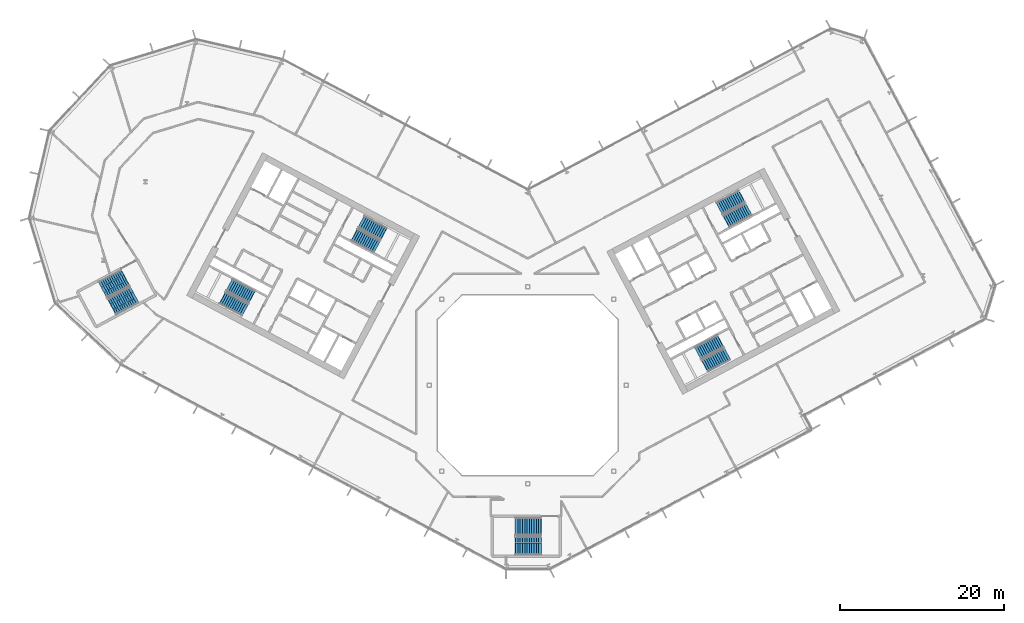
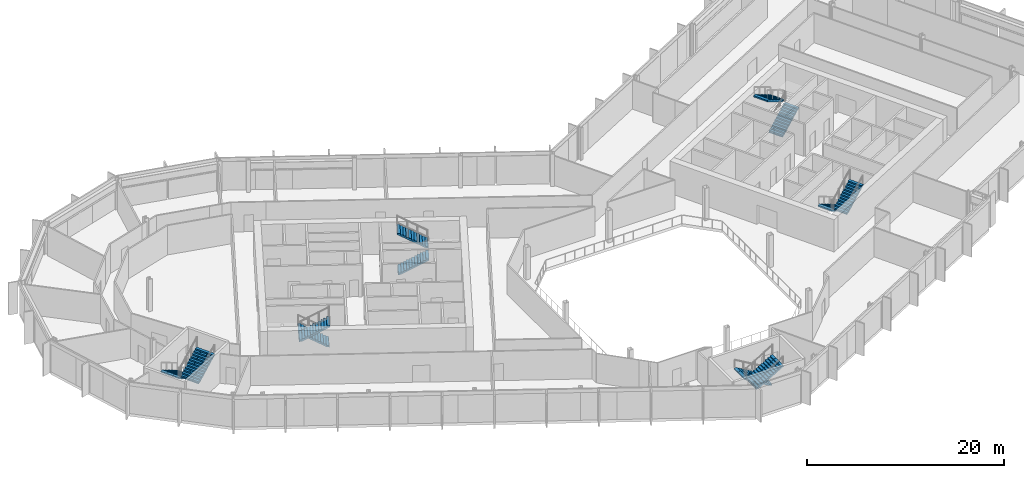
# One storey, part 18 of 28: 12 stair flights, 6 elements without a shape of their own.
"""IFC4 building model written with IfcOpenShell, lengths in metres."""

import ifcopenshell
import ifcopenshell.guid

model = None  # the IFC model being written
_history = None  # IfcOwnerHistory: only IFC2X3 demands one
_inside = {}  # id of a spatial element -> (the spatial element, [elements in it])
_under = {}  # id of a project, library or spatial element -> (it, [spatial elements below it])
_declared = {}  # id of a project -> (the project, [libraries it declares])
_typed = {}  # id of a type object -> (the type object, [elements of that type])
_made_of = {}  # id of a material, layer set ... -> (it, [elements and type objects made of it])


def new_model(schema):
    """Start an empty IFC model of exactly this schema.

    Asked for "IFC4X3", IfcOpenShell would pick the latest addendum, in which some entities
    have other attributes; the version numbers below select the first issue.
    IFC2X3 requires an IfcOwnerHistory on every rooted entity: one is made here for all.
    """
    global model, _history
    if schema == "IFC4X3":
        model = ifcopenshell.file(schema_version=(4, 3, 0, 0))
    else:
        model = ifcopenshell.file(schema=schema)
    _inside.clear()
    _under.clear()
    _declared.clear()
    _typed.clear()
    _made_of.clear()
    _history = None
    if model.schema == "IFC2X3":
        org = make("IfcOrganization", Name="unknown")
        user = make(
            "IfcPersonAndOrganization",
            ThePerson=make("IfcPerson", FamilyName="unknown"),
            TheOrganization=org,
        )
        app = make(
            "IfcApplication",
            ApplicationDeveloper=org,
            Version="unknown",
            ApplicationFullName="unknown",
            ApplicationIdentifier="unknown",
        )
        _history = make(
            "IfcOwnerHistory",
            OwningUser=user,
            OwningApplication=app,
            ChangeAction="ADDED",
            CreationDate=0,
        )
    return model


def make(cls, **values):
    """One entity of the class cls with the attributes given. An attribute that is None is left unset."""
    return model.create_entity(
        cls, **{name: value for name, value in values.items() if value is not None}
    )


def rooted(cls, **values):
    """An entity with a GlobalId (a new one), such as an element, a storey or a relation."""
    return make(cls, GlobalId=ifcopenshell.guid.new(), OwnerHistory=_history, **values)


def si_unit(unit_type, name, prefix=None):
    """IfcSIUnit, for example si_unit("LENGTHUNIT", "METRE", prefix="MILLI")."""
    return make("IfcSIUnit", UnitType=unit_type, Prefix=prefix, Name=name)


def assignment(units):
    """IfcUnitAssignment: the units of a project."""
    return None if units is None else make("IfcUnitAssignment", Units=units)


def point(xyz):
    """IfcCartesianPoint."""
    return None if xyz is None else make("IfcCartesianPoint", Coordinates=xyz)


def direction(xyz):
    """IfcDirection."""
    return None if xyz is None else make("IfcDirection", DirectionRatios=xyz)


def frame(location, z_axis=None, x_axis=None):
    """IfcAxis2Placement3D, a coordinate frame: its origin and axes. An axis left out is left unset."""
    return make(
        "IfcAxis2Placement3D",
        Location=point(location),
        Axis=direction(z_axis),
        RefDirection=direction(x_axis),
    )


def origin():
    """The frame at (0, 0, 0) with its axes left unset."""
    return frame((0.0, 0.0, 0.0))


def place(relative_to, where):
    """IfcLocalPlacement: puts the frame where relative to a parent placement (None: the world)."""
    return make(
        "IfcLocalPlacement", PlacementRelTo=relative_to, RelativePlacement=where
    )


def context(
    kind, dimensions, precision=None, world=None, true_north=None, identifier=None
):
    """IfcGeometricRepresentationContext, for example the 3D "Model" context."""
    return make(
        "IfcGeometricRepresentationContext",
        ContextIdentifier=identifier,
        ContextType=kind,
        CoordinateSpaceDimension=dimensions,
        Precision=precision,
        WorldCoordinateSystem=world,
        TrueNorth=true_north,
    )


def subcontext(parent, identifier, kind, view, scale=None):
    """IfcGeometricRepresentationSubContext, for example "Body" below "Model"."""
    return make(
        "IfcGeometricRepresentationSubContext",
        ContextIdentifier=identifier,
        ContextType=kind,
        ParentContext=parent,
        TargetScale=scale,
        TargetView=view,
    )


def project(units=None, contexts=None):
    """IfcProject with its units and contexts."""
    return rooted(
        "IfcProject",
        Name="project",
        RepresentationContexts=contexts,
        UnitsInContext=assignment(units),
    )


def spatial(cls, under=None, at=None, **own):
    """A site, building, storey or space (cls), placed at a placement, below another one or the project."""
    s = rooted(cls, ObjectPlacement=at, **own)
    if under is not None:
        _under.setdefault(under.id(), (under, []))[1].append(s)
    return s


def polyline(points):
    """IfcPolyline through the points."""
    return make("IfcPolyline", Points=[point(p) for p in points])


def outline(outer, holes=None, kind="AREA"):
    """IfcArbitraryClosedProfileDef: a profile drawn as a closed curve; with holes, ...WithVoids."""
    if holes is None:
        return make("IfcArbitraryClosedProfileDef", ProfileType=kind, OuterCurve=outer)
    return make(
        "IfcArbitraryProfileDefWithVoids",
        ProfileType=kind,
        OuterCurve=outer,
        InnerCurves=holes,
    )


def extrude(swept, where, along, depth):
    """IfcExtrudedAreaSolid: the profile swept, set in the frame where, extruded along a direction by depth."""
    return make(
        "IfcExtrudedAreaSolid",
        SweptArea=swept,
        Position=where,
        ExtrudedDirection=direction(along),
        Depth=depth,
    )


def shape(context_of_items, identifier, shape_type, items):
    """IfcShapeRepresentation: the items that make up one representation, for example the "Body"."""
    return make(
        "IfcShapeRepresentation",
        ContextOfItems=context_of_items,
        RepresentationIdentifier=identifier,
        RepresentationType=shape_type,
        Items=items,
    )


def material(Name=None, Category=None):
    """IfcMaterial."""
    return make("IfcMaterial", Name=Name, Category=Category)


def made_of(thing, what):
    """Note that an element or type object is made of a material, layer set ...; save() writes the relation."""
    if what is not None:
        _made_of.setdefault(what.id(), (what, []))[1].append(thing)
    return thing


def type_object(cls, material=None, **own):
    """A type object (cls), such as IfcWallType, which elements share."""
    return made_of(rooted(cls, **own), material)


def element(
    cls,
    number,
    at=None,
    inside=None,
    cuts=None,
    type_object=None,
    material=None,
    context=None,
    identifier="Body",
    shape_type=None,
    held_by="IfcProductDefinitionShape",
    body=None,
    shapes=None,
    **own,
):
    """One element of the class cls, such as IfcWall. Its Tag is "e" and its number.

    at: its placement. inside: the storey or other place that contains it. cuts: it is an
    opening in that element (IfcRelVoidsElement). A single representation is given by context,
    identifier, shape_type and body (its items); several are given by shapes. held_by: the class
    of the entity that holds the representations. save() writes the other relations.
    """
    e = rooted(cls, Tag="e%d" % number, ObjectPlacement=at, **own)
    if body is not None:
        shapes = [shape(context, identifier, shape_type, body)]
    if shapes is not None:
        e.Representation = make(held_by, Representations=shapes)
    if inside is not None:
        _inside.setdefault(inside.id(), (inside, []))[1].append(e)
    if cuts is not None:
        rooted(
            "IfcRelVoidsElement", RelatingBuildingElement=cuts, RelatedOpeningElement=e
        )
    if type_object is not None:
        _typed.setdefault(type_object.id(), (type_object, []))[1].append(e)
    return made_of(e, material)


def aggregate(whole, parts):
    """IfcRelAggregates: a whole, such as a stair, and the parts it consists of."""
    return rooted("IfcRelAggregates", RelatingObject=whole, RelatedObjects=parts)


def save(model, path):
    """Write the relations noted so far, then the file.

    IfcRelAggregates (storeys below a building ...), IfcRelContainedInSpatialStructure (elements
    in a storey), IfcRelDefinesByType, IfcRelAssociatesMaterial and IfcRelDeclares: one each for
    every whole, place, type object, material and project.
    """
    for whole, parts in _under.values():
        aggregate(whole, parts)
    for where, things in _inside.values():
        rooted(
            "IfcRelContainedInSpatialStructure",
            RelatedElements=things,
            RelatingStructure=where,
        )
    for kind, things in _typed.values():
        rooted("IfcRelDefinesByType", RelatedObjects=things, RelatingType=kind)
    for what, things in _made_of.values():
        rooted("IfcRelAssociatesMaterial", RelatedObjects=things, RelatingMaterial=what)
    for by, libraries in _declared.values():
        rooted("IfcRelDeclares", RelatingContext=by, RelatedDefinitions=libraries)
    model.write(path)


model = new_model("IFC4")

# Units and contexts
model_context = context("Model", 3, precision=1e-05, world=origin(), true_north=direction((0.0, 1.0)))
body_context = subcontext(model_context, "Body", "Model", "MODEL_VIEW")
ifc_project = project(units=[si_unit("LENGTHUNIT", "METRE"), si_unit("AREAUNIT", "SQUARE_METRE"), si_unit("VOLUMEUNIT", "CUBIC_METRE"), si_unit("PLANEANGLEUNIT", "RADIAN"), si_unit("MASSUNIT", "GRAM", prefix="KILO")], contexts=[model_context])

# Site, building, storey
site_placement = place(None, origin())
site = spatial("IfcSite", under=ifc_project, at=site_placement, CompositionType="ELEMENT")
building_placement = place(site_placement, origin())
building = spatial("IfcBuilding", under=site, at=building_placement, Name="Cormorant Relay Tower", CompositionType="ELEMENT")
storey_placement = place(building_placement, frame((0.0, 0.0, 170.199951171875)))
storey = spatial("IfcBuildingStorey", under=building, at=storey_placement, Name="L36", CompositionType="ELEMENT", Elevation=170.199951171875)

# Stair, stair flights
ifc_material_1 = material(Name="Concrete 40 MPa", Category="concrete")
stair_type_1 = type_object("IfcStairType", Name="Exit stair 1500", PredefinedType="HALF_TURN_STAIR", material=ifc_material_1)
stair_1_placement = place(storey_placement, origin())
stair_1 = element("IfcStair", 1, at=stair_1_placement, inside=storey, type_object=stair_type_1, Name="L36 Stair", PredefinedType="HALF_TURN_STAIR")
ifc_material_2 = material(Name="Concrete 40 MPa", Category="concrete")
stair_flight_type_1 = type_object("IfcStairFlightType", Name="Exit stair flight 1650", PredefinedType="STRAIGHT", material=ifc_material_2)
stair_flight_1_placement = place(storey_placement, frame((-21.114501953125, 18.33349609375, 0.0), z_axis=(0.0, 0.0, 1.0), x_axis=(0.882947592859, -0.469471562786, 0.0)))
stair_flight_1 = element("IfcStairFlight", 2, at=stair_flight_1_placement, type_object=stair_flight_type_1, Name="A1 flight 1", NumberOfRisers=12, NumberOfTreads=11, PredefinedType="STRAIGHT", RiserHeight=0.166666667, TreadLength=0.28, context=body_context, shape_type="SweptSolid", body=[
    extrude(outline(polyline([(-0.050048828125, -0.080078125), (-0.050048828125, 0.0), (0.0, 0.0), (0.0, 0.166748046875), (0.280029296875, 0.166748046875), (0.280029296875, 0.333251953125), (0.56005859375, 0.333251953125), (0.56005859375, 0.5), (0.840087890625, 0.5), (0.840087890625, 0.666748046875), (1.1201171875, 0.666748046875), (1.1201171875, 0.833251953125), (1.39990234375, 0.833251953125), (1.39990234375, 1.0), (1.679931640625, 1.0), (1.679931640625, 1.166748046875), (1.9599609375, 1.166748046875), (1.9599609375, 1.333251953125), (2.239990234375, 1.333251953125), (2.239990234375, 1.5), (2.52001953125, 1.5), (2.52001953125, 1.666748046875), (2.800048828125, 1.666748046875), (2.800048828125, 1.833251953125), (3.080078125, 1.833251953125), (3.130126953125, 1.833251953125), (3.130126953125, 1.658935546875), (3.080078125, 1.658935546875), (0.29296875, 0.0), (-0.050048828125, -0.080078125)])), frame((0.0, 0.824951171875, 0.0), z_axis=(0.0, -1.0, 0.0), x_axis=(1.0, 0.0, 0.0)), (0.0, 0.0, 1.0), 1.64990234375),
])
stair_flight_2_placement = place(storey_placement, frame((-17.5498046875, 18.47705078125, 2.0), z_axis=(0.0, 0.0, 1.0), x_axis=(-0.882947592859, 0.469471562786, 0.0)))
stair_flight_2 = element("IfcStairFlight", 3, at=stair_flight_2_placement, type_object=stair_flight_type_1, Name="A1 flight 2", NumberOfRisers=12, NumberOfTreads=11, PredefinedType="STRAIGHT", RiserHeight=0.166666667, TreadLength=0.28, context=body_context, shape_type="SweptSolid", body=[
    extrude(outline(polyline([(-0.050048828125, -0.080078125), (-0.050048828125, 0.0), (0.0, 0.0), (0.0, 0.166748046875), (0.280029296875, 0.166748046875), (0.280029296875, 0.333251953125), (0.56005859375, 0.333251953125), (0.56005859375, 0.5), (0.840087890625, 0.5), (0.840087890625, 0.666748046875), (1.1201171875, 0.666748046875), (1.1201171875, 0.833251953125), (1.39990234375, 0.833251953125), (1.39990234375, 1.0), (1.679931640625, 1.0), (1.679931640625, 1.166748046875), (1.9599609375, 1.166748046875), (1.9599609375, 1.333251953125), (2.239990234375, 1.333251953125), (2.239990234375, 1.5), (2.52001953125, 1.5), (2.52001953125, 1.666748046875), (2.800048828125, 1.666748046875), (2.800048828125, 1.833251953125), (3.080078125, 1.833251953125), (3.130126953125, 1.833251953125), (3.130126953125, 1.658935546875), (3.080078125, 1.658935546875), (0.29296875, 0.0), (-0.050048828125, -0.080078125)])), frame((0.0, 0.824951171875, 0.0), z_axis=(0.0, -1.0, 0.0), x_axis=(1.0, 0.0, 0.0)), (0.0, 0.0, 1.0), 1.64990234375),
])
aggregate(stair_1, [stair_flight_1, stair_flight_2])

stair_2_placement = place(storey_placement, origin())
stair_2 = element("IfcStair", 4, at=stair_2_placement, inside=storey, type_object=stair_type_1, Name="L36 Stair", PredefinedType="HALF_TURN_STAIR")
stair_flight_3_placement = place(storey_placement, frame((-33.62841796875, 10.773681640625, 0.0), z_axis=(0.0, 0.0, 1.0), x_axis=(-0.882947592859, 0.469471562786, 0.0)))
stair_flight_3 = element("IfcStairFlight", 5, at=stair_flight_3_placement, type_object=stair_flight_type_1, Name="A2 flight 1", NumberOfRisers=12, NumberOfTreads=11, PredefinedType="STRAIGHT", RiserHeight=0.166666667, TreadLength=0.28, context=body_context, shape_type="SweptSolid", body=[
    extrude(outline(polyline([(-0.050048828125, -0.080078125), (-0.050048828125, 0.0), (0.0, 0.0), (0.0, 0.166748046875), (0.280029296875, 0.166748046875), (0.280029296875, 0.333251953125), (0.56005859375, 0.333251953125), (0.56005859375, 0.5), (0.840087890625, 0.5), (0.840087890625, 0.666748046875), (1.1201171875, 0.666748046875), (1.1201171875, 0.833251953125), (1.39990234375, 0.833251953125), (1.39990234375, 1.0), (1.679931640625, 1.0), (1.679931640625, 1.166748046875), (1.9599609375, 1.166748046875), (1.9599609375, 1.333251953125), (2.239990234375, 1.333251953125), (2.239990234375, 1.5), (2.52001953125, 1.5), (2.52001953125, 1.666748046875), (2.800048828125, 1.666748046875), (2.800048828125, 1.833251953125), (3.080078125, 1.833251953125), (3.130126953125, 1.833251953125), (3.130126953125, 1.658935546875), (3.080078125, 1.658935546875), (0.29296875, 0.0), (-0.050048828125, -0.080078125)])), frame((0.0, 0.824951171875, 0.0), z_axis=(0.0, -1.0, 0.0), x_axis=(1.0, 0.0, 0.0)), (0.0, 0.0, 1.0), 1.64990234375),
])
stair_flight_4_placement = place(storey_placement, frame((-37.19287109375, 10.63037109375, 2.0), z_axis=(0.0, 0.0, 1.0), x_axis=(0.882947592859, -0.469471562786, 0.0)))
stair_flight_4 = element("IfcStairFlight", 6, at=stair_flight_4_placement, type_object=stair_flight_type_1, Name="A2 flight 2", NumberOfRisers=12, NumberOfTreads=11, PredefinedType="STRAIGHT", RiserHeight=0.166666667, TreadLength=0.28, context=body_context, shape_type="SweptSolid", body=[
    extrude(outline(polyline([(-0.050048828125, -0.080078125), (-0.050048828125, 0.0), (0.0, 0.0), (0.0, 0.166748046875), (0.280029296875, 0.166748046875), (0.280029296875, 0.333251953125), (0.56005859375, 0.333251953125), (0.56005859375, 0.5), (0.840087890625, 0.5), (0.840087890625, 0.666748046875), (1.1201171875, 0.666748046875), (1.1201171875, 0.833251953125), (1.39990234375, 0.833251953125), (1.39990234375, 1.0), (1.679931640625, 1.0), (1.679931640625, 1.166748046875), (1.9599609375, 1.166748046875), (1.9599609375, 1.333251953125), (2.239990234375, 1.333251953125), (2.239990234375, 1.5), (2.52001953125, 1.5), (2.52001953125, 1.666748046875), (2.800048828125, 1.666748046875), (2.800048828125, 1.833251953125), (3.080078125, 1.833251953125), (3.130126953125, 1.833251953125), (3.130126953125, 1.658935546875), (3.080078125, 1.658935546875), (0.29296875, 0.0), (-0.050048828125, -0.080078125)])), frame((0.0, 0.824951171875, 0.0), z_axis=(0.0, -1.0, 0.0), x_axis=(1.0, 0.0, 0.0)), (0.0, 0.0, 1.0), 1.64990234375),
])
aggregate(stair_2, [stair_flight_3, stair_flight_4])

stair_3_placement = place(storey_placement, origin())
stair_3 = element("IfcStair", 7, at=stair_3_placement, inside=storey, type_object=stair_type_1, Name="L36 Stair", PredefinedType="HALF_TURN_STAIR")
stair_flight_5_placement = place(storey_placement, frame((23.474365234375, 5.374755859375, 0.0), z_axis=(0.0, 0.0, 1.0), x_axis=(-0.882947592859, -0.469471562786, 0.0)))
stair_flight_5 = element("IfcStairFlight", 8, at=stair_flight_5_placement, type_object=stair_flight_type_1, Name="B1 flight 1", NumberOfRisers=12, NumberOfTreads=11, PredefinedType="STRAIGHT", RiserHeight=0.166666667, TreadLength=0.28, context=body_context, shape_type="SweptSolid", body=[
    extrude(outline(polyline([(-0.050048828125, -0.080078125), (-0.050048828125, 0.0), (0.0, 0.0), (0.0, 0.166748046875), (0.280029296875, 0.166748046875), (0.280029296875, 0.333251953125), (0.56005859375, 0.333251953125), (0.56005859375, 0.5), (0.840087890625, 0.5), (0.840087890625, 0.666748046875), (1.1201171875, 0.666748046875), (1.1201171875, 0.833251953125), (1.39990234375, 0.833251953125), (1.39990234375, 1.0), (1.679931640625, 1.0), (1.679931640625, 1.166748046875), (1.9599609375, 1.166748046875), (1.9599609375, 1.333251953125), (2.239990234375, 1.333251953125), (2.239990234375, 1.5), (2.52001953125, 1.5), (2.52001953125, 1.666748046875), (2.800048828125, 1.666748046875), (2.800048828125, 1.833251953125), (3.080078125, 1.833251953125), (3.130126953125, 1.833251953125), (3.130126953125, 1.658935546875), (3.080078125, 1.658935546875), (0.29296875, 0.0), (-0.050048828125, -0.080078125)])), frame((0.0, 0.824951171875, 0.0), z_axis=(0.0, -1.0, 0.0), x_axis=(1.0, 0.0, 0.0)), (0.0, 0.0, 1.0), 1.64990234375),
])
stair_flight_6_placement = place(storey_placement, frame((21.60009765625, 2.33935546875, 2.0), z_axis=(0.0, 0.0, 1.0), x_axis=(0.882947592859, 0.469471562786, 0.0)))
stair_flight_6 = element("IfcStairFlight", 9, at=stair_flight_6_placement, type_object=stair_flight_type_1, Name="B1 flight 2", NumberOfRisers=12, NumberOfTreads=11, PredefinedType="STRAIGHT", RiserHeight=0.166666667, TreadLength=0.28, context=body_context, shape_type="SweptSolid", body=[
    extrude(outline(polyline([(-0.050048828125, -0.080078125), (-0.050048828125, 0.0), (0.0, 0.0), (0.0, 0.166748046875), (0.280029296875, 0.166748046875), (0.280029296875, 0.333251953125), (0.56005859375, 0.333251953125), (0.56005859375, 0.5), (0.840087890625, 0.5), (0.840087890625, 0.666748046875), (1.1201171875, 0.666748046875), (1.1201171875, 0.833251953125), (1.39990234375, 0.833251953125), (1.39990234375, 1.0), (1.679931640625, 1.0), (1.679931640625, 1.166748046875), (1.9599609375, 1.166748046875), (1.9599609375, 1.333251953125), (2.239990234375, 1.333251953125), (2.239990234375, 1.5), (2.52001953125, 1.5), (2.52001953125, 1.666748046875), (2.800048828125, 1.666748046875), (2.800048828125, 1.833251953125), (3.080078125, 1.833251953125), (3.130126953125, 1.833251953125), (3.130126953125, 1.658935546875), (3.080078125, 1.658935546875), (0.29296875, 0.0), (-0.050048828125, -0.080078125)])), frame((0.0, 0.824951171875, 0.0), z_axis=(0.0, -1.0, 0.0), x_axis=(1.0, 0.0, 0.0)), (0.0, 0.0, 1.0), 1.64990234375),
])
aggregate(stair_3, [stair_flight_5, stair_flight_6])

stair_4_placement = place(storey_placement, origin())
stair_4 = element("IfcStair", 10, at=stair_4_placement, inside=storey, type_object=stair_type_1, Name="L36 Stair", PredefinedType="HALF_TURN_STAIR")
stair_flight_7_placement = place(storey_placement, frame((24.20458984375, 19.976806640625, 0.0), z_axis=(0.0, 0.0, 1.0), x_axis=(0.882947592859, 0.469471562786, 0.0)))
stair_flight_7 = element("IfcStairFlight", 11, at=stair_flight_7_placement, type_object=stair_flight_type_1, Name="B2 flight 1", NumberOfRisers=12, NumberOfTreads=11, PredefinedType="STRAIGHT", RiserHeight=0.166666667, TreadLength=0.28, context=body_context, shape_type="SweptSolid", body=[
    extrude(outline(polyline([(-0.050048828125, -0.080078125), (-0.050048828125, 0.0), (0.0, 0.0), (0.0, 0.166748046875), (0.280029296875, 0.166748046875), (0.280029296875, 0.333251953125), (0.56005859375, 0.333251953125), (0.56005859375, 0.5), (0.840087890625, 0.5), (0.840087890625, 0.666748046875), (1.1201171875, 0.666748046875), (1.1201171875, 0.833251953125), (1.39990234375, 0.833251953125), (1.39990234375, 1.0), (1.679931640625, 1.0), (1.679931640625, 1.166748046875), (1.9599609375, 1.166748046875), (1.9599609375, 1.333251953125), (2.239990234375, 1.333251953125), (2.239990234375, 1.5), (2.52001953125, 1.5), (2.52001953125, 1.666748046875), (2.800048828125, 1.666748046875), (2.800048828125, 1.833251953125), (3.080078125, 1.833251953125), (3.130126953125, 1.833251953125), (3.130126953125, 1.658935546875), (3.080078125, 1.658935546875), (0.29296875, 0.0), (-0.050048828125, -0.080078125)])), frame((0.0, 0.824951171875, 0.0), z_axis=(0.0, -1.0, 0.0), x_axis=(1.0, 0.0, 0.0)), (0.0, 0.0, 1.0), 1.64990234375),
])
stair_flight_8_placement = place(storey_placement, frame((26.0791015625, 23.011962890625, 2.0), z_axis=(0.0, 0.0, 1.0), x_axis=(-0.882947592859, -0.469471562786, 0.0)))
stair_flight_8 = element("IfcStairFlight", 12, at=stair_flight_8_placement, type_object=stair_flight_type_1, Name="B2 flight 2", NumberOfRisers=12, NumberOfTreads=11, PredefinedType="STRAIGHT", RiserHeight=0.166666667, TreadLength=0.28, context=body_context, shape_type="SweptSolid", body=[
    extrude(outline(polyline([(-0.050048828125, -0.080078125), (-0.050048828125, 0.0), (0.0, 0.0), (0.0, 0.166748046875), (0.280029296875, 0.166748046875), (0.280029296875, 0.333251953125), (0.56005859375, 0.333251953125), (0.56005859375, 0.5), (0.840087890625, 0.5), (0.840087890625, 0.666748046875), (1.1201171875, 0.666748046875), (1.1201171875, 0.833251953125), (1.39990234375, 0.833251953125), (1.39990234375, 1.0), (1.679931640625, 1.0), (1.679931640625, 1.166748046875), (1.9599609375, 1.166748046875), (1.9599609375, 1.333251953125), (2.239990234375, 1.333251953125), (2.239990234375, 1.5), (2.52001953125, 1.5), (2.52001953125, 1.666748046875), (2.800048828125, 1.666748046875), (2.800048828125, 1.833251953125), (3.080078125, 1.833251953125), (3.130126953125, 1.833251953125), (3.130126953125, 1.658935546875), (3.080078125, 1.658935546875), (0.29296875, 0.0), (-0.050048828125, -0.080078125)])), frame((0.0, 0.824951171875, 0.0), z_axis=(0.0, -1.0, 0.0), x_axis=(1.0, 0.0, 0.0)), (0.0, 0.0, 1.0), 1.64990234375),
])
aggregate(stair_4, [stair_flight_7, stair_flight_8])

ifc_material_3 = material(Name="Concrete 40 MPa", Category="concrete")
stair_type_2 = type_object("IfcStairType", Name="Remote exit stair 2200", PredefinedType="HALF_TURN_STAIR", material=ifc_material_3)
stair_5_placement = place(storey_placement, origin())
stair_5 = element("IfcStair", 13, at=stair_5_placement, inside=storey, type_object=stair_type_2, Name="L36 Stair", PredefinedType="HALF_TURN_STAIR")
ifc_material_4 = material(Name="Concrete 40 MPa", Category="concrete")
stair_flight_type_2 = type_object("IfcStairFlightType", Name="Remote exit stair flight 2200", PredefinedType="STRAIGHT", material=ifc_material_4)
stair_flight_9_placement = place(storey_placement, frame((1.60009765625, -17.22509765625, 0.0), z_axis=(0.0, 0.0, 1.0), x_axis=(-1.0, 0.0, 0.0)))
stair_flight_9 = element("IfcStairFlight", 14, at=stair_flight_9_placement, type_object=stair_flight_type_2, Name="RK1 flight 1", NumberOfRisers=12, NumberOfTreads=11, PredefinedType="STRAIGHT", RiserHeight=0.166666667, TreadLength=0.28, context=body_context, shape_type="SweptSolid", body=[
    extrude(outline(polyline([(-0.050048828125, -0.080078125), (-0.050048828125, 0.0), (0.0, 0.0), (0.0, 0.166748046875), (0.280029296875, 0.166748046875), (0.280029296875, 0.333251953125), (0.56005859375, 0.333251953125), (0.56005859375, 0.5), (0.840087890625, 0.5), (0.840087890625, 0.666748046875), (1.1201171875, 0.666748046875), (1.1201171875, 0.833251953125), (1.39990234375, 0.833251953125), (1.39990234375, 1.0), (1.679931640625, 1.0), (1.679931640625, 1.166748046875), (1.9599609375, 1.166748046875), (1.9599609375, 1.333251953125), (2.239990234375, 1.333251953125), (2.239990234375, 1.5), (2.52001953125, 1.5), (2.52001953125, 1.666748046875), (2.800048828125, 1.666748046875), (2.800048828125, 1.833251953125), (3.080078125, 1.833251953125), (3.130126953125, 1.833251953125), (3.130126953125, 1.658935546875), (3.080078125, 1.658935546875), (0.29296875, 0.0), (-0.050048828125, -0.080078125)])), frame((0.0, 1.10009765625, 0.0), z_axis=(0.0, -1.0, 0.0), x_axis=(1.0, 0.0, 0.0)), (0.0, 0.0, 1.0), 0.719970703125),
    extrude(outline(polyline([(-0.050048828125, -0.080078125), (-0.050048828125, 0.0), (0.0, 0.0), (0.0, 0.166748046875), (0.280029296875, 0.166748046875), (0.280029296875, 0.333251953125), (0.56005859375, 0.333251953125), (0.56005859375, 0.5), (0.840087890625, 0.5), (0.840087890625, 0.666748046875), (1.1201171875, 0.666748046875), (1.1201171875, 0.833251953125), (1.39990234375, 0.833251953125), (1.39990234375, 1.0), (1.679931640625, 1.0), (1.679931640625, 1.166748046875), (1.9599609375, 1.166748046875), (1.9599609375, 1.333251953125), (2.239990234375, 1.333251953125), (2.239990234375, 1.5), (2.52001953125, 1.5), (2.52001953125, 1.666748046875), (2.800048828125, 1.666748046875), (2.800048828125, 1.833251953125), (3.080078125, 1.833251953125), (3.130126953125, 1.833251953125), (3.130126953125, 1.658935546875), (3.080078125, 1.658935546875), (0.29296875, 0.0), (-0.050048828125, -0.080078125)])), frame((0.0, 0.360107421875, 0.0), z_axis=(0.0, -1.0, 0.0), x_axis=(1.0, 0.0, 0.0)), (0.0, 0.0, 1.0), 0.719970703125),
    extrude(outline(polyline([(-0.050048828125, -0.080078125), (-0.050048828125, 0.0), (0.0, 0.0), (0.0, 0.166748046875), (0.280029296875, 0.166748046875), (0.280029296875, 0.333251953125), (0.56005859375, 0.333251953125), (0.56005859375, 0.5), (0.840087890625, 0.5), (0.840087890625, 0.666748046875), (1.1201171875, 0.666748046875), (1.1201171875, 0.833251953125), (1.39990234375, 0.833251953125), (1.39990234375, 1.0), (1.679931640625, 1.0), (1.679931640625, 1.166748046875), (1.9599609375, 1.166748046875), (1.9599609375, 1.333251953125), (2.239990234375, 1.333251953125), (2.239990234375, 1.5), (2.52001953125, 1.5), (2.52001953125, 1.666748046875), (2.800048828125, 1.666748046875), (2.800048828125, 1.833251953125), (3.080078125, 1.833251953125), (3.130126953125, 1.833251953125), (3.130126953125, 1.658935546875), (3.080078125, 1.658935546875), (0.29296875, 0.0), (-0.050048828125, -0.080078125)])), frame((0.0, -0.3798828125, 0.0), z_axis=(0.0, -1.0, 0.0), x_axis=(1.0, 0.0, 0.0)), (0.0, 0.0, 1.0), 0.719970703125),
])
stair_flight_10_placement = place(storey_placement, frame((-1.47998046875, -19.574951171875, 2.0), z_axis=(0.0, 0.0, 1.0), x_axis=(1.0, 0.0, 0.0)))
stair_flight_10 = element("IfcStairFlight", 15, at=stair_flight_10_placement, type_object=stair_flight_type_2, Name="RK1 flight 2", NumberOfRisers=12, NumberOfTreads=11, PredefinedType="STRAIGHT", RiserHeight=0.166666667, TreadLength=0.28, context=body_context, shape_type="SweptSolid", body=[
    extrude(outline(polyline([(-0.050048828125, -0.080078125), (-0.050048828125, 0.0), (0.0, 0.0), (0.0, 0.166748046875), (0.280029296875, 0.166748046875), (0.280029296875, 0.333251953125), (0.56005859375, 0.333251953125), (0.56005859375, 0.5), (0.840087890625, 0.5), (0.840087890625, 0.666748046875), (1.1201171875, 0.666748046875), (1.1201171875, 0.833251953125), (1.39990234375, 0.833251953125), (1.39990234375, 1.0), (1.679931640625, 1.0), (1.679931640625, 1.166748046875), (1.9599609375, 1.166748046875), (1.9599609375, 1.333251953125), (2.239990234375, 1.333251953125), (2.239990234375, 1.5), (2.52001953125, 1.5), (2.52001953125, 1.666748046875), (2.800048828125, 1.666748046875), (2.800048828125, 1.833251953125), (3.080078125, 1.833251953125), (3.130126953125, 1.833251953125), (3.130126953125, 1.658935546875), (3.080078125, 1.658935546875), (0.29296875, 0.0), (-0.050048828125, -0.080078125)])), frame((0.0, 1.10009765625, 0.0), z_axis=(0.0, -1.0, 0.0), x_axis=(1.0, 0.0, 0.0)), (0.0, 0.0, 1.0), 0.719970703125),
    extrude(outline(polyline([(-0.050048828125, -0.080078125), (-0.050048828125, 0.0), (0.0, 0.0), (0.0, 0.166748046875), (0.280029296875, 0.166748046875), (0.280029296875, 0.333251953125), (0.56005859375, 0.333251953125), (0.56005859375, 0.5), (0.840087890625, 0.5), (0.840087890625, 0.666748046875), (1.1201171875, 0.666748046875), (1.1201171875, 0.833251953125), (1.39990234375, 0.833251953125), (1.39990234375, 1.0), (1.679931640625, 1.0), (1.679931640625, 1.166748046875), (1.9599609375, 1.166748046875), (1.9599609375, 1.333251953125), (2.239990234375, 1.333251953125), (2.239990234375, 1.5), (2.52001953125, 1.5), (2.52001953125, 1.666748046875), (2.800048828125, 1.666748046875), (2.800048828125, 1.833251953125), (3.080078125, 1.833251953125), (3.130126953125, 1.833251953125), (3.130126953125, 1.658935546875), (3.080078125, 1.658935546875), (0.29296875, 0.0), (-0.050048828125, -0.080078125)])), frame((0.0, 0.360107421875, 0.0), z_axis=(0.0, -1.0, 0.0), x_axis=(1.0, 0.0, 0.0)), (0.0, 0.0, 1.0), 0.719970703125),
    extrude(outline(polyline([(-0.050048828125, -0.080078125), (-0.050048828125, 0.0), (0.0, 0.0), (0.0, 0.166748046875), (0.280029296875, 0.166748046875), (0.280029296875, 0.333251953125), (0.56005859375, 0.333251953125), (0.56005859375, 0.5), (0.840087890625, 0.5), (0.840087890625, 0.666748046875), (1.1201171875, 0.666748046875), (1.1201171875, 0.833251953125), (1.39990234375, 0.833251953125), (1.39990234375, 1.0), (1.679931640625, 1.0), (1.679931640625, 1.166748046875), (1.9599609375, 1.166748046875), (1.9599609375, 1.333251953125), (2.239990234375, 1.333251953125), (2.239990234375, 1.5), (2.52001953125, 1.5), (2.52001953125, 1.666748046875), (2.800048828125, 1.666748046875), (2.800048828125, 1.833251953125), (3.080078125, 1.833251953125), (3.130126953125, 1.833251953125), (3.130126953125, 1.658935546875), (3.080078125, 1.658935546875), (0.29296875, 0.0), (-0.050048828125, -0.080078125)])), frame((0.0, -0.3798828125, 0.0), z_axis=(0.0, -1.0, 0.0), x_axis=(1.0, 0.0, 0.0)), (0.0, 0.0, 1.0), 0.719970703125),
])
aggregate(stair_5, [stair_flight_9, stair_flight_10])

stair_6_placement = place(storey_placement, origin())
stair_6 = element("IfcStair", 16, at=stair_6_placement, inside=storey, type_object=stair_type_2, Name="L36 Stair", PredefinedType="HALF_TURN_STAIR")
stair_flight_11_placement = place(storey_placement, frame((-49.062255859375, 13.08251953125, 0.0), z_axis=(0.0, 0.0, 1.0), x_axis=(-0.882947502727, -0.4694717323, 0.0)))
stair_flight_11 = element("IfcStairFlight", 17, at=stair_flight_11_placement, type_object=stair_flight_type_2, Name="RP1 flight 1", NumberOfRisers=12, NumberOfTreads=11, PredefinedType="STRAIGHT", RiserHeight=0.166666667, TreadLength=0.28, context=body_context, shape_type="SweptSolid", body=[
    extrude(outline(polyline([(-0.050048828125, -0.080078125), (-0.050048828125, 0.0), (0.0, 0.0), (0.0, 0.166748046875), (0.280029296875, 0.166748046875), (0.280029296875, 0.333251953125), (0.56005859375, 0.333251953125), (0.56005859375, 0.5), (0.840087890625, 0.5), (0.840087890625, 0.666748046875), (1.1201171875, 0.666748046875), (1.1201171875, 0.833251953125), (1.39990234375, 0.833251953125), (1.39990234375, 1.0), (1.679931640625, 1.0), (1.679931640625, 1.166748046875), (1.9599609375, 1.166748046875), (1.9599609375, 1.333251953125), (2.239990234375, 1.333251953125), (2.239990234375, 1.5), (2.52001953125, 1.5), (2.52001953125, 1.666748046875), (2.800048828125, 1.666748046875), (2.800048828125, 1.833251953125), (3.080078125, 1.833251953125), (3.130126953125, 1.833251953125), (3.130126953125, 1.658935546875), (3.080078125, 1.658935546875), (0.29296875, 0.0), (-0.050048828125, -0.080078125)])), frame((0.0, 1.10009765625, 0.0), z_axis=(0.0, -1.0, 0.0), x_axis=(1.0, 0.0, 0.0)), (0.0, 0.0, 1.0), 0.719970703125),
    extrude(outline(polyline([(-0.050048828125, -0.080078125), (-0.050048828125, 0.0), (0.0, 0.0), (0.0, 0.166748046875), (0.280029296875, 0.166748046875), (0.280029296875, 0.333251953125), (0.56005859375, 0.333251953125), (0.56005859375, 0.5), (0.840087890625, 0.5), (0.840087890625, 0.666748046875), (1.1201171875, 0.666748046875), (1.1201171875, 0.833251953125), (1.39990234375, 0.833251953125), (1.39990234375, 1.0), (1.679931640625, 1.0), (1.679931640625, 1.166748046875), (1.9599609375, 1.166748046875), (1.9599609375, 1.333251953125), (2.239990234375, 1.333251953125), (2.239990234375, 1.5), (2.52001953125, 1.5), (2.52001953125, 1.666748046875), (2.800048828125, 1.666748046875), (2.800048828125, 1.833251953125), (3.080078125, 1.833251953125), (3.130126953125, 1.833251953125), (3.130126953125, 1.658935546875), (3.080078125, 1.658935546875), (0.29296875, 0.0), (-0.050048828125, -0.080078125)])), frame((0.0, 0.360107421875, 0.0), z_axis=(0.0, -1.0, 0.0), x_axis=(1.0, 0.0, 0.0)), (0.0, 0.0, 1.0), 0.719970703125),
    extrude(outline(polyline([(-0.050048828125, -0.080078125), (-0.050048828125, 0.0), (0.0, 0.0), (0.0, 0.166748046875), (0.280029296875, 0.166748046875), (0.280029296875, 0.333251953125), (0.56005859375, 0.333251953125), (0.56005859375, 0.5), (0.840087890625, 0.5), (0.840087890625, 0.666748046875), (1.1201171875, 0.666748046875), (1.1201171875, 0.833251953125), (1.39990234375, 0.833251953125), (1.39990234375, 1.0), (1.679931640625, 1.0), (1.679931640625, 1.166748046875), (1.9599609375, 1.166748046875), (1.9599609375, 1.333251953125), (2.239990234375, 1.333251953125), (2.239990234375, 1.5), (2.52001953125, 1.5), (2.52001953125, 1.666748046875), (2.800048828125, 1.666748046875), (2.800048828125, 1.833251953125), (3.080078125, 1.833251953125), (3.130126953125, 1.833251953125), (3.130126953125, 1.658935546875), (3.080078125, 1.658935546875), (0.29296875, 0.0), (-0.050048828125, -0.080078125)])), frame((0.0, -0.3798828125, 0.0), z_axis=(0.0, -1.0, 0.0), x_axis=(1.0, 0.0, 0.0)), (0.0, 0.0, 1.0), 0.719970703125),
])
stair_flight_12_placement = place(storey_placement, frame((-50.678466796875, 9.5615234375, 2.0), z_axis=(0.0, 0.0, 1.0), x_axis=(0.882947502727, 0.4694717323, 0.0)))
stair_flight_12 = element("IfcStairFlight", 18, at=stair_flight_12_placement, type_object=stair_flight_type_2, Name="RP1 flight 2", NumberOfRisers=12, NumberOfTreads=11, PredefinedType="STRAIGHT", RiserHeight=0.166666667, TreadLength=0.28, context=body_context, shape_type="SweptSolid", body=[
    extrude(outline(polyline([(-0.050048828125, -0.080078125), (-0.050048828125, 0.0), (0.0, 0.0), (0.0, 0.166748046875), (0.280029296875, 0.166748046875), (0.280029296875, 0.333251953125), (0.56005859375, 0.333251953125), (0.56005859375, 0.5), (0.840087890625, 0.5), (0.840087890625, 0.666748046875), (1.1201171875, 0.666748046875), (1.1201171875, 0.833251953125), (1.39990234375, 0.833251953125), (1.39990234375, 1.0), (1.679931640625, 1.0), (1.679931640625, 1.166748046875), (1.9599609375, 1.166748046875), (1.9599609375, 1.333251953125), (2.239990234375, 1.333251953125), (2.239990234375, 1.5), (2.52001953125, 1.5), (2.52001953125, 1.666748046875), (2.800048828125, 1.666748046875), (2.800048828125, 1.833251953125), (3.080078125, 1.833251953125), (3.130126953125, 1.833251953125), (3.130126953125, 1.658935546875), (3.080078125, 1.658935546875), (0.29296875, 0.0), (-0.050048828125, -0.080078125)])), frame((0.0, 1.10009765625, 0.0), z_axis=(0.0, -1.0, 0.0), x_axis=(1.0, 0.0, 0.0)), (0.0, 0.0, 1.0), 0.719970703125),
    extrude(outline(polyline([(-0.050048828125, -0.080078125), (-0.050048828125, 0.0), (0.0, 0.0), (0.0, 0.166748046875), (0.280029296875, 0.166748046875), (0.280029296875, 0.333251953125), (0.56005859375, 0.333251953125), (0.56005859375, 0.5), (0.840087890625, 0.5), (0.840087890625, 0.666748046875), (1.1201171875, 0.666748046875), (1.1201171875, 0.833251953125), (1.39990234375, 0.833251953125), (1.39990234375, 1.0), (1.679931640625, 1.0), (1.679931640625, 1.166748046875), (1.9599609375, 1.166748046875), (1.9599609375, 1.333251953125), (2.239990234375, 1.333251953125), (2.239990234375, 1.5), (2.52001953125, 1.5), (2.52001953125, 1.666748046875), (2.800048828125, 1.666748046875), (2.800048828125, 1.833251953125), (3.080078125, 1.833251953125), (3.130126953125, 1.833251953125), (3.130126953125, 1.658935546875), (3.080078125, 1.658935546875), (0.29296875, 0.0), (-0.050048828125, -0.080078125)])), frame((0.0, 0.360107421875, 0.0), z_axis=(0.0, -1.0, 0.0), x_axis=(1.0, 0.0, 0.0)), (0.0, 0.0, 1.0), 0.719970703125),
    extrude(outline(polyline([(-0.050048828125, -0.080078125), (-0.050048828125, 0.0), (0.0, 0.0), (0.0, 0.166748046875), (0.280029296875, 0.166748046875), (0.280029296875, 0.333251953125), (0.56005859375, 0.333251953125), (0.56005859375, 0.5), (0.840087890625, 0.5), (0.840087890625, 0.666748046875), (1.1201171875, 0.666748046875), (1.1201171875, 0.833251953125), (1.39990234375, 0.833251953125), (1.39990234375, 1.0), (1.679931640625, 1.0), (1.679931640625, 1.166748046875), (1.9599609375, 1.166748046875), (1.9599609375, 1.333251953125), (2.239990234375, 1.333251953125), (2.239990234375, 1.5), (2.52001953125, 1.5), (2.52001953125, 1.666748046875), (2.800048828125, 1.666748046875), (2.800048828125, 1.833251953125), (3.080078125, 1.833251953125), (3.130126953125, 1.833251953125), (3.130126953125, 1.658935546875), (3.080078125, 1.658935546875), (0.29296875, 0.0), (-0.050048828125, -0.080078125)])), frame((0.0, -0.3798828125, 0.0), z_axis=(0.0, -1.0, 0.0), x_axis=(1.0, 0.0, 0.0)), (0.0, 0.0, 1.0), 0.719970703125),
])
aggregate(stair_6, [stair_flight_11, stair_flight_12])

save(model, "model.ifc")
